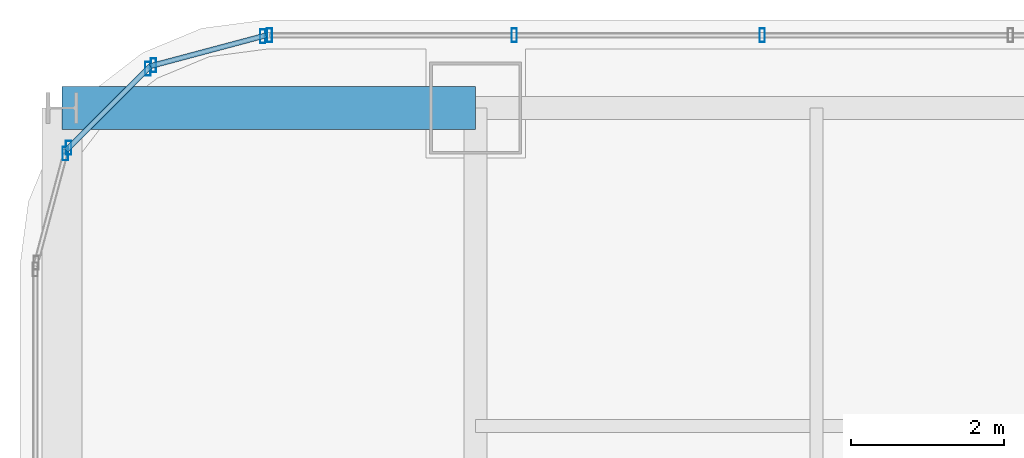
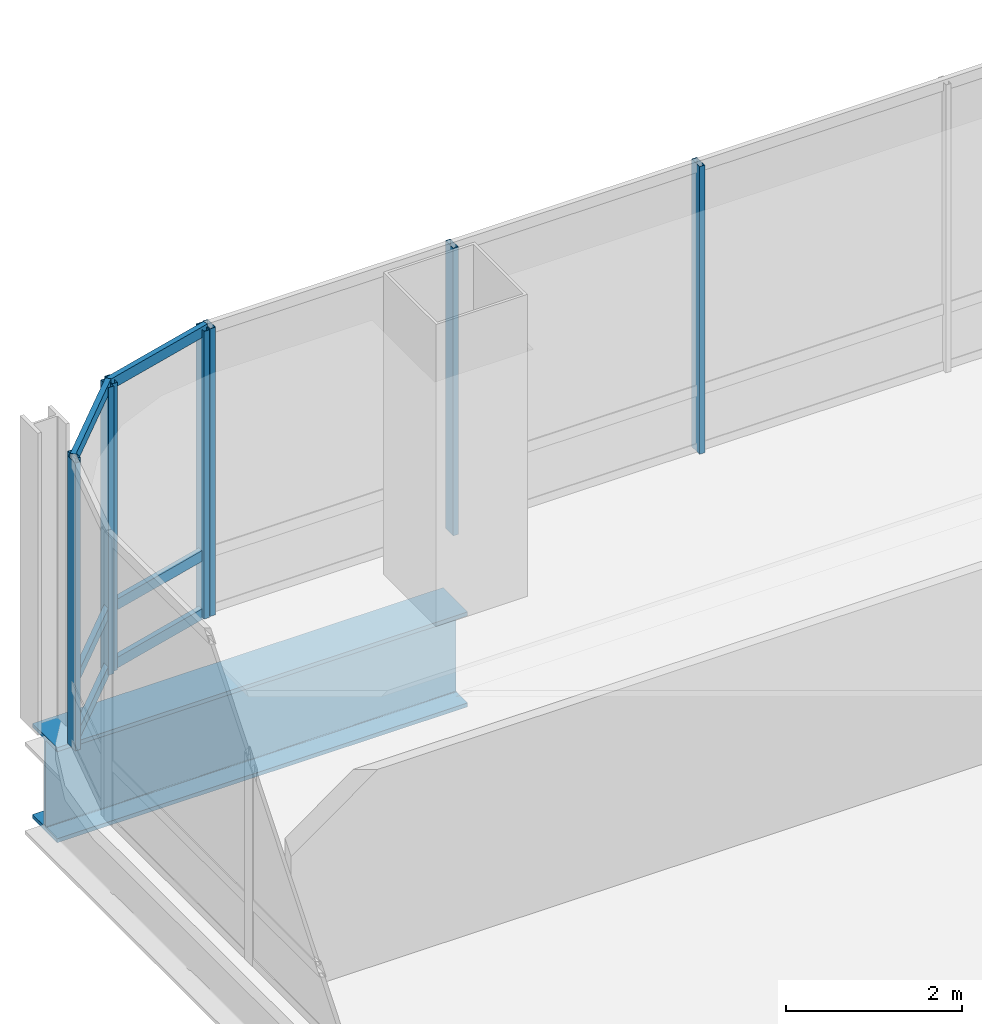
# One storey, part 25 of 42: 14 members, 1 beam, 4 elements without a shape of their own.
"""IFC4 building model written with IfcOpenShell, lengths in metres."""

from ifc_helpers import new_model, si_unit, direction, frame, origin, origin_2d, place, context, subcontext, project, spatial, hollow_rectangle, i_section, extrude, material, material_profile, profile_set, type_object, element, aggregate, save


model = new_model("IFC4")

# Units and contexts
model_context = context("Model", 3, precision=1e-05, world=origin(), true_north=direction((0.0, 1.0)))
body_context = subcontext(model_context, "Body", "Model", "MODEL_VIEW")
ifc_project = project(units=[si_unit("LENGTHUNIT", "METRE"), si_unit("AREAUNIT", "SQUARE_METRE"), si_unit("VOLUMEUNIT", "CUBIC_METRE"), si_unit("PLANEANGLEUNIT", "RADIAN"), si_unit("MASSUNIT", "GRAM", prefix="KILO")], contexts=[model_context])

# Site, building, storey
site_placement = place(None, origin())
site = spatial("IfcSite", under=ifc_project, at=site_placement, CompositionType="ELEMENT")
building_placement = place(site_placement, origin())
building = spatial("IfcBuilding", under=site, at=building_placement, Name="Punatoya Terracotta Tower", CompositionType="ELEMENT")
storey_placement = place(building_placement, frame((0.0, 0.0, 325.800048828125)))
storey = spatial("IfcBuildingStorey", under=building, at=storey_placement, Name="L77", CompositionType="ELEMENT", Elevation=325.800048828125)

# Beam
ifc_material_1 = material(Name="Steel S460", Category="steel")
ifc_material_profile_1 = material_profile(ifc_material_1, i_section(OverallWidth=0.56005859375, OverallDepth=1.320068359375, WebThickness=0.035888671875, FlangeThickness=0.054931640625, FilletRadius=0.01806640625, at=origin_2d()))
ifc_profile_set_1 = profile_set([ifc_material_profile_1], Name="Steel S460")
beam_type = type_object("IfcBeamType", Name="BM-TG-BLK", PredefinedType="BEAM", material=ifc_profile_set_1)
beam_placement = place(storey_placement, frame((-24.5, 17.5, -0.860107421875), z_axis=(1.0, 0.0, 0.0), x_axis=(0.0, 1.0, 0.0)))
element("IfcBeam", 1, at=beam_placement, inside=storey, type_object=beam_type, Name="BM-L77-CANT-W4", PredefinedType="BEAM", context=body_context, shape_type="SweptSolid", body=[
    extrude(i_section(OverallWidth=0.56005859375, OverallDepth=1.320068359375, WebThickness=0.035888671875, FlangeThickness=0.054931640625, FilletRadius=0.01806640625, at=origin_2d()), origin(), (0.0, 0.0, 1.0), 5.39990234375),
])

# Curtain wall, members
ifc_material_2 = material(Name="Aluminium 6063-T6 + Double Low-E Glass", Category="aluminium")
curtain_wall_type = type_object("IfcCurtainWallType", Name="CW-OBS", PredefinedType="NOTDEFINED", material=ifc_material_2)
curtain_wall_1_placement = place(storey_placement, origin())
curtain_wall_1 = element("IfcCurtainWall", 2, at=curtain_wall_1_placement, inside=storey, type_object=curtain_wall_type, Name="L77 Curtain Wall CW-L77-N09-1", PredefinedType="NOTDEFINED")
ifc_material_3 = material(Name="Aluminium 6063-T6", Category="aluminium")
ifc_material_profile_2 = material_profile(ifc_material_3, hollow_rectangle(XDim=0.070068359375, YDim=0.179931640625, WallThickness=0.00390625, at=origin_2d()))
ifc_profile_set_2 = profile_set([ifc_material_profile_2], Name="Aluminium 6063-T6")
member_type_1 = type_object("IfcMemberType", Name="CW-MUL-M3", PredefinedType="MULLION", material=ifc_profile_set_2)
member_1_placement = place(storey_placement, frame((-15.35791015625, 18.449951171875, 0.0), z_axis=(0.0, 0.0, 1.0), x_axis=(1.0, 0.0, 0.0)))
member_1 = element("IfcMember", 3, at=member_1_placement, type_object=member_type_1, Name="CW-L77-N09-1 Mullion 10", PredefinedType="MULLION", context=body_context, shape_type="SweptSolid", body=[
    extrude(hollow_rectangle(XDim=0.070068359375, YDim=0.179931640625, WallThickness=0.00390625, at=origin_2d()), origin(), (0.0, 0.0, 1.0), 4.0),
])
member_2_placement = place(storey_placement, frame((-18.597412109375, 18.449951171875, 0.0), z_axis=(0.0, 0.0, 1.0), x_axis=(1.0, 0.0, 0.0)))
member_2 = element("IfcMember", 4, at=member_2_placement, type_object=member_type_1, Name="CW-L77-N09-1 Mullion 11", PredefinedType="MULLION", context=body_context, shape_type="SweptSolid", body=[
    extrude(hollow_rectangle(XDim=0.070068359375, YDim=0.179931640625, WallThickness=0.00390625, at=origin_2d()), origin(), (0.0, 0.0, 1.0), 4.0),
])
member_3_placement = place(storey_placement, frame((-21.7919921875, 18.449951171875, 0.0), z_axis=(0.0, 0.0, 1.0), x_axis=(1.0, 0.0, 0.0)))
member_3 = element("IfcMember", 5, at=member_3_placement, type_object=member_type_1, Name="CW-L77-N09-1 Mullion 12", PredefinedType="MULLION", context=body_context, shape_type="SweptSolid", body=[
    extrude(hollow_rectangle(XDim=0.070068359375, YDim=0.179931640625, WallThickness=0.00390625, at=origin_2d()), origin(), (0.0, 0.0, 1.0), 4.0),
])
aggregate(curtain_wall_1, [member_1, member_2, member_3])

curtain_wall_2_placement = place(storey_placement, origin())
curtain_wall_2 = element("IfcCurtainWall", 6, at=curtain_wall_2_placement, inside=storey, type_object=curtain_wall_type, Name="L77 Curtain Wall CW-L77-CRN10", PredefinedType="NOTDEFINED")
member_4_placement = place(storey_placement, frame((-21.88037109375, 18.4384765625, 0.0), z_axis=(0.0, 0.0, 1.0), x_axis=(1.0, 0.0, 0.0)))
member_4 = element("IfcMember", 7, at=member_4_placement, type_object=member_type_1, Name="CW-L77-CRN10 Mullion 00", PredefinedType="MULLION", context=body_context, shape_type="SweptSolid", body=[
    extrude(hollow_rectangle(XDim=0.070068359375, YDim=0.179931640625, WallThickness=0.00390625, at=origin_2d()), origin(), (0.0, 0.0, 1.0), 4.0),
])
member_5_placement = place(storey_placement, frame((-23.3056640625, 18.05810546875, 0.0), z_axis=(0.0, 0.0, 1.0), x_axis=(1.0, 0.0, 0.0)))
member_5 = element("IfcMember", 8, at=member_5_placement, type_object=member_type_1, Name="CW-L77-CRN10 Mullion 01", PredefinedType="MULLION", context=body_context, shape_type="SweptSolid", body=[
    extrude(hollow_rectangle(XDim=0.070068359375, YDim=0.179931640625, WallThickness=0.00390625, at=origin_2d()), origin(), (0.0, 0.0, 1.0), 4.0),
])

curtain_wall_3_placement = place(storey_placement, origin())
curtain_wall_3 = element("IfcCurtainWall", 9, at=curtain_wall_3_placement, inside=storey, type_object=curtain_wall_type, Name="L77 Curtain Wall CW-L77-CRN11", PredefinedType="NOTDEFINED")
member_6_placement = place(storey_placement, frame((-23.380859375, 18.014892578125, 0.0), z_axis=(0.0, 0.0, 1.0), x_axis=(1.0, 0.0, 0.0)))
member_6 = element("IfcMember", 10, at=member_6_placement, type_object=member_type_1, Name="CW-L77-CRN11 Mullion 00", PredefinedType="MULLION", context=body_context, shape_type="SweptSolid", body=[
    extrude(hollow_rectangle(XDim=0.070068359375, YDim=0.179931640625, WallThickness=0.00390625, at=origin_2d()), origin(), (0.0, 0.0, 1.0), 4.0),
])
member_7_placement = place(storey_placement, frame((-24.414794921875, 16.98095703125, 0.0), z_axis=(0.0, 0.0, 1.0), x_axis=(1.0, 0.0, 0.0)))
member_7 = element("IfcMember", 11, at=member_7_placement, type_object=member_type_1, Name="CW-L77-CRN11 Mullion 01", PredefinedType="MULLION", context=body_context, shape_type="SweptSolid", body=[
    extrude(hollow_rectangle(XDim=0.070068359375, YDim=0.179931640625, WallThickness=0.00390625, at=origin_2d()), origin(), (0.0, 0.0, 1.0), 4.0),
])

# Curtain wall, member
curtain_wall_4_placement = place(storey_placement, origin())
curtain_wall_4 = element("IfcCurtainWall", 12, at=curtain_wall_4_placement, inside=storey, type_object=curtain_wall_type, Name="L77 Curtain Wall CW-L77-CRN12", PredefinedType="NOTDEFINED")
member_8_placement = place(storey_placement, frame((-24.458251953125, 16.905517578125, 0.0), z_axis=(0.0, 0.0, 1.0), x_axis=(1.0, 0.0, 0.0)))
member_8 = element("IfcMember", 13, at=member_8_placement, type_object=member_type_1, Name="CW-L77-CRN12 Mullion 00", PredefinedType="MULLION", context=body_context, shape_type="SweptSolid", body=[
    extrude(hollow_rectangle(XDim=0.070068359375, YDim=0.179931640625, WallThickness=0.00390625, at=origin_2d()), origin(), (0.0, 0.0, 1.0), 4.0),
])
aggregate(curtain_wall_4, [member_8])

# Member
ifc_material_profile_3 = material_profile(ifc_material_3, hollow_rectangle(XDim=0.068115234375, YDim=0.14990234375, WallThickness=0.00390625, at=origin_2d()))
ifc_profile_set_3 = profile_set([ifc_material_profile_3], Name="Aluminium 6063-T6")
member_type_2 = type_object("IfcMemberType", Name="CW-TRN-TYP", PredefinedType="USERDEFINED", material=ifc_profile_set_3)
member_9_placement = place(storey_placement, frame((-21.8369140625, 18.449951171875, 0.0400390625), z_axis=(-0.966224582397, -0.257701486942, 0.0), x_axis=(0.257701486942, -0.966224582397, 0.0)))
member_9 = element("IfcMember", 14, at=member_9_placement, type_object=member_type_2, Name="CW-L77-CRN10 Transom 1", ObjectType="TRANSOM", PredefinedType="USERDEFINED", context=body_context, shape_type="SweptSolid", body=[
    extrude(hollow_rectangle(XDim=0.068115234375, YDim=0.14990234375, WallThickness=0.00390625, at=origin_2d()), origin(), (0.0, 0.0, 1.0), 1.565185546875),
])

member_10_placement = place(storey_placement, frame((-21.8369140625, 18.449951171875, 0.849853515625), z_axis=(-0.966224582397, -0.257701486942, 0.0), x_axis=(0.257701486942, -0.966224582397, 0.0)))
member_10 = element("IfcMember", 15, at=member_10_placement, type_object=member_type_2, Name="CW-L77-CRN10 Transom 2", ObjectType="TRANSOM", PredefinedType="USERDEFINED", context=body_context, shape_type="SweptSolid", body=[
    extrude(hollow_rectangle(XDim=0.068115234375, YDim=0.14990234375, WallThickness=0.00390625, at=origin_2d()), origin(), (0.0, 0.0, 1.0), 1.565185546875),
])

member_11_placement = place(storey_placement, frame((-21.8369140625, 18.449951171875, 3.9599609375), z_axis=(-0.966224582397, -0.257701486942, 0.0), x_axis=(0.257701486942, -0.966224582397, 0.0)))
member_11 = element("IfcMember", 16, at=member_11_placement, type_object=member_type_2, Name="CW-L77-CRN10 Transom 3", ObjectType="TRANSOM", PredefinedType="USERDEFINED", context=body_context, shape_type="SweptSolid", body=[
    extrude(hollow_rectangle(XDim=0.068115234375, YDim=0.14990234375, WallThickness=0.00390625, at=origin_2d()), origin(), (0.0, 0.0, 1.0), 1.565185546875),
])

aggregate(curtain_wall_2, [member_4, member_5, member_9, member_10, member_11])

member_12_placement = place(storey_placement, frame((-23.34912109375, 18.046630859375, 0.0400390625), z_axis=(-0.707106781187, -0.707106781187, 0.0), x_axis=(0.707106781187, -0.707106781187, 0.0)))
member_12 = element("IfcMember", 17, at=member_12_placement, type_object=member_type_2, Name="CW-L77-CRN11 Transom 1", ObjectType="TRANSOM", PredefinedType="USERDEFINED", context=body_context, shape_type="SweptSolid", body=[
    extrude(hollow_rectangle(XDim=0.068115234375, YDim=0.14990234375, WallThickness=0.00390625, at=origin_2d()), origin(), (0.0, 0.0, 1.0), 1.552001953125),
])

member_13_placement = place(storey_placement, frame((-23.34912109375, 18.046630859375, 0.849853515625), z_axis=(-0.707106781187, -0.707106781187, 0.0), x_axis=(0.707106781187, -0.707106781187, 0.0)))
member_13 = element("IfcMember", 18, at=member_13_placement, type_object=member_type_2, Name="CW-L77-CRN11 Transom 2", ObjectType="TRANSOM", PredefinedType="USERDEFINED", context=body_context, shape_type="SweptSolid", body=[
    extrude(hollow_rectangle(XDim=0.068115234375, YDim=0.14990234375, WallThickness=0.00390625, at=origin_2d()), origin(), (0.0, 0.0, 1.0), 1.552001953125),
])

member_14_placement = place(storey_placement, frame((-23.34912109375, 18.046630859375, 3.9599609375), z_axis=(-0.707106781187, -0.707106781187, 0.0), x_axis=(0.707106781187, -0.707106781187, 0.0)))
member_14 = element("IfcMember", 19, at=member_14_placement, type_object=member_type_2, Name="CW-L77-CRN11 Transom 3", ObjectType="TRANSOM", PredefinedType="USERDEFINED", context=body_context, shape_type="SweptSolid", body=[
    extrude(hollow_rectangle(XDim=0.068115234375, YDim=0.14990234375, WallThickness=0.00390625, at=origin_2d()), origin(), (0.0, 0.0, 1.0), 1.552001953125),
])

aggregate(curtain_wall_3, [member_6, member_7, member_12, member_13, member_14])

save(model, "model.ifc")
